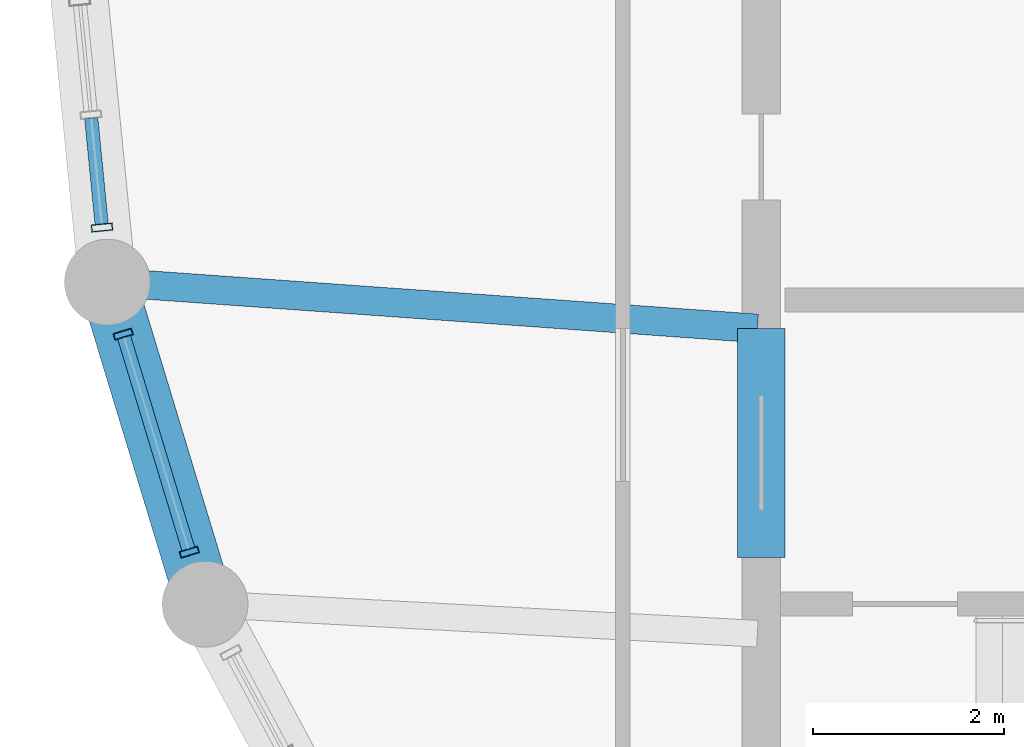
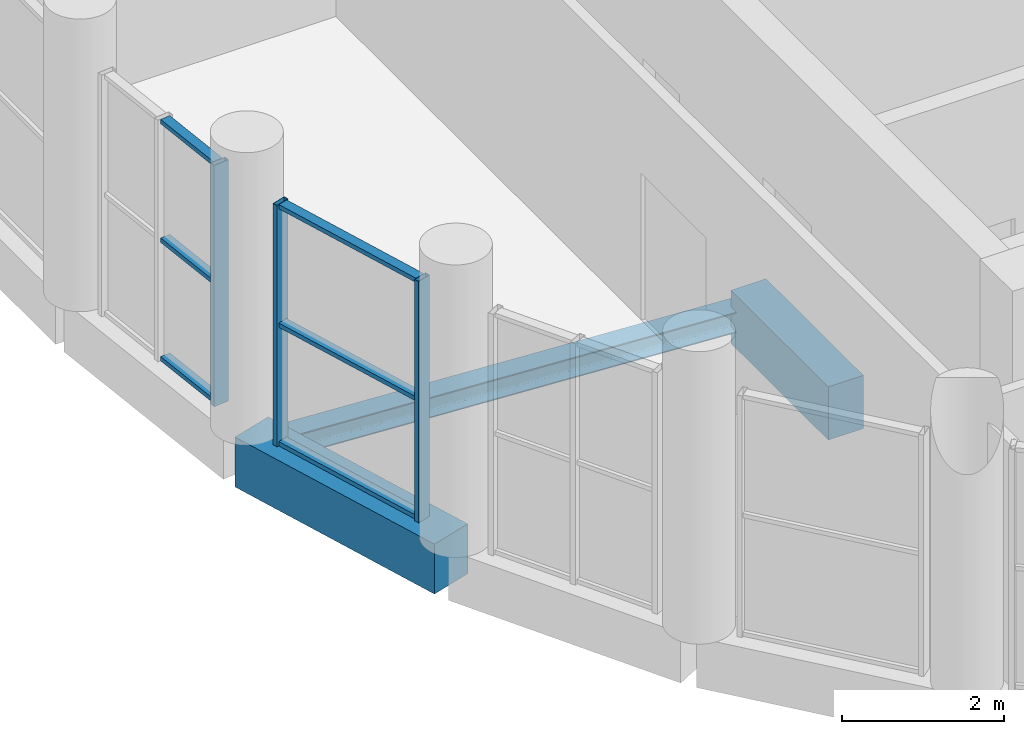
# One storey, part 3 of 18: 9 members, 3 beams, 2 elements without a shape of their own.
"""IFC4 building model written with IfcOpenShell, lengths in metres."""

from ifc_helpers import new_model, si_unit, direction, frame, origin, origin_2d, place, context, subcontext, project, spatial, rectangle, hollow_rectangle, i_section, extrude, material, layer, layer_set, material_profile, profile_set, type_object, element, aggregate, save


model = new_model("IFC4")

# Units and contexts
model_context = context("Model", 3, precision=1e-05, world=origin(), true_north=direction((0.0, 1.0)))
body_context = subcontext(model_context, "Body", "Model", "MODEL_VIEW")
ifc_project = project(units=[si_unit("LENGTHUNIT", "METRE"), si_unit("AREAUNIT", "SQUARE_METRE"), si_unit("VOLUMEUNIT", "CUBIC_METRE"), si_unit("PLANEANGLEUNIT", "RADIAN"), si_unit("MASSUNIT", "GRAM", prefix="KILO")], contexts=[model_context])

# Site, building, storey
site_placement = place(None, origin())
site = spatial("IfcSite", under=ifc_project, at=site_placement, CompositionType="ELEMENT")
building_placement = place(site_placement, origin())
building = spatial("IfcBuilding", under=site, at=building_placement, Name="Solnavia Interchange Tower", CompositionType="ELEMENT")
storey_placement = place(building_placement, frame((0.0, 0.0, 295.39990234375)))
storey = spatial("IfcBuildingStorey", under=building, at=storey_placement, Name="L75", CompositionType="ELEMENT", Elevation=295.39990234375)

# Beams
ifc_material_1 = material(Name="Concrete C50/60", Category="concrete")
ifc_material_profile_1 = material_profile(ifc_material_1, rectangle(XDim=0.5, YDim=0.800048828125, at=origin_2d()), Name="RC 500x800")
ifc_profile_set_1 = profile_set([ifc_material_profile_1], Name="Concrete C50/60")
beam_type_1 = type_object("IfcBeamType", Name="Beam-Coupling-RC500x800", PredefinedType="LINTEL", material=ifc_profile_set_1)
beam_1_placement = place(storey_placement, frame((14.39990234375, 15.199951171875, -0.39990234375), z_axis=(0.0, 1.0, 0.0), x_axis=(-1.0, 0.0, 0.0)))
element("IfcBeam", 1, at=beam_1_placement, inside=storey, type_object=beam_type_1, Name="CPB-L75-W1 Core coupling lintel beam", PredefinedType="LINTEL", context=body_context, shape_type="SweptSolid", body=[
    extrude(rectangle(XDim=0.5, YDim=0.800048828125, at=origin_2d()), origin(), (0.0, 0.0, 1.0), 2.400146484375),
])
ifc_material_2 = material(Name="Steel S355", Category="steel")
ifc_material_profile_2 = material_profile(ifc_material_2, i_section(OverallWidth=0.300048828125, OverallDepth=0.31005859375, WebThickness=0.009033203125, FlangeThickness=0.015380859375, FilletRadius=0.027099609375, at=origin_2d()), Name="HEA 320")
ifc_profile_set_2 = profile_set([ifc_material_profile_2], Name="Steel S355")
beam_type_2 = type_object("IfcBeamType", Name="Beam-Primary-HEA320", PredefinedType="BEAM", material=ifc_profile_set_2)
beam_2_placement = place(storey_placement, frame((7.625732421875, 18.082275390625, -0.40478515625), z_axis=(0.99747482749, -0.071020902015, 0.0), x_axis=(0.071020902015, 0.99747482749, 0.0)))
element("IfcBeam", 2, at=beam_2_placement, inside=storey, type_object=beam_type_2, Name="GRD-L75-DR05 Drum radial floor girder", PredefinedType="BEAM", context=body_context, shape_type="SweptSolid", body=[
    extrude(i_section(OverallWidth=0.300048828125, OverallDepth=0.31005859375, WebThickness=0.009033203125, FlangeThickness=0.015380859375, FilletRadius=0.027099609375, at=origin_2d()), origin(), (0.0, 0.0, 1.0), 6.75146484375),
])
ifc_material_profile_3 = material_profile(ifc_material_1, rectangle(XDim=0.60009765625, YDim=0.75, at=origin_2d()), Name="RC 600x750")
ifc_profile_set_3 = profile_set([ifc_material_profile_3], Name="Concrete C50/60")
beam_type_3 = type_object("IfcBeamType", Name="Beam-Spandrel-RC600x750", PredefinedType="SPANDREL", material=ifc_profile_set_3)
beam_3_placement = place(storey_placement, frame((7.569091796875, 18.011474609375, -0.375), z_axis=(0.290319223646, -0.956929855518, 0.0), x_axis=(0.956929855518, 0.290319223646, 0.0)))
element("IfcBeam", 3, at=beam_3_placement, inside=storey, type_object=beam_type_3, Name="SPB-L75-02 Framed-tube perimeter spandrel beam", PredefinedType="SPANDREL", context=body_context, shape_type="SweptSolid", body=[
    extrude(rectangle(XDim=0.60009765625, YDim=0.75, at=origin_2d()), origin(), (0.0, 0.0, 1.0), 3.367919921875),
])

# Curtain wall, member
ifc_material_3 = material(Name="Aluminium Alloy 6063-T6", Category="aluminium")
ifc_layer_1 = layer(ifc_material_3, 0.239990234375)
ifc_layer_set_1 = layer_set([ifc_layer_1], Name="Aluminium Alloy 6063-T6")
curtain_wall_type_1 = type_object("IfcCurtainWallType", Name="CurtainWall-Drum-CTW2", PredefinedType="NOTDEFINED", material=ifc_layer_set_1)
curtain_wall_1_placement = place(storey_placement, origin())
curtain_wall_1 = element("IfcCurtainWall", 4, at=curtain_wall_1_placement, inside=storey, type_object=curtain_wall_type_1, Name="CTW-L75-D37 CTW-2 curtain wall", PredefinedType="NOTDEFINED")
ifc_material_profile_4 = material_profile(ifc_material_3, hollow_rectangle(XDim=0.074951171875, YDim=0.219970703125, WallThickness=0.0048828125, at=origin_2d()), Name="ALU 220x75x5")
ifc_profile_set_4 = profile_set([ifc_material_profile_4], Name="Aluminium Alloy 6063-T6")
member_type_1 = type_object("IfcMemberType", Name="CW-Mullion-CWM-2", PredefinedType="MULLION", material=ifc_profile_set_4)
member_1_placement = place(storey_placement, frame((7.489501953125, 18.66015625, 0.0), z_axis=(0.0, 0.0, 1.0), x_axis=(0.098043088306, -0.995182170678, 0.0)))
member_1 = element("IfcMember", 5, at=member_1_placement, type_object=member_type_1, Name="CTW-2 mullion 3", PredefinedType="MULLION", context=body_context, shape_type="SweptSolid", body=[
    extrude(hollow_rectangle(XDim=0.074951171875, YDim=0.219970703125, WallThickness=0.0048828125, at=origin_2d()), origin(), (0.0, 0.0, 1.0), 3.630126953125),
])

# Curtain wall, members
ifc_layer_2 = layer(ifc_material_3, 0.219970703125)
ifc_layer_set_2 = layer_set([ifc_layer_2], Name="Aluminium Alloy 6063-T6")
curtain_wall_type_2 = type_object("IfcCurtainWallType", Name="CurtainWall-Tower-CTW3", PredefinedType="NOTDEFINED", material=ifc_layer_set_2)
curtain_wall_2_placement = place(storey_placement, origin())
curtain_wall_2 = element("IfcCurtainWall", 6, at=curtain_wall_2_placement, inside=storey, type_object=curtain_wall_type_2, Name="CTW-L75-S38 CTW-3 curtain wall", PredefinedType="NOTDEFINED")
ifc_material_profile_5 = material_profile(ifc_material_3, hollow_rectangle(XDim=0.070068359375, YDim=0.199951171875, WallThickness=0.0048828125, at=origin_2d()), Name="ALU 200x70x5")
ifc_profile_set_5 = profile_set([ifc_material_profile_5], Name="Aluminium Alloy 6063-T6")
member_type_2 = type_object("IfcMemberType", Name="CW-Mullion-CWM-3", PredefinedType="MULLION", material=ifc_profile_set_5)
member_2_placement = place(storey_placement, frame((7.71142578125, 17.54248046875, 0.0), z_axis=(0.0, 0.0, 1.0), x_axis=(0.290258074897, -0.956948405065, 0.0)))
member_2 = element("IfcMember", 7, at=member_2_placement, type_object=member_type_2, Name="CTW-3 mullion 1", PredefinedType="MULLION", context=body_context, shape_type="SweptSolid", body=[
    extrude(hollow_rectangle(XDim=0.070068359375, YDim=0.199951171875, WallThickness=0.0048828125, at=origin_2d()), origin(), (0.0, 0.0, 1.0), 3.630126953125),
])
member_3_placement = place(storey_placement, frame((8.404541015625, 15.257568359375, 0.0), z_axis=(0.0, 0.0, 1.0), x_axis=(0.290258074897, -0.956948405065, 0.0)))
member_3 = element("IfcMember", 8, at=member_3_placement, type_object=member_type_2, Name="CTW-3 mullion 2", PredefinedType="MULLION", context=body_context, shape_type="SweptSolid", body=[
    extrude(hollow_rectangle(XDim=0.070068359375, YDim=0.199951171875, WallThickness=0.0048828125, at=origin_2d()), origin(), (0.0, 0.0, 1.0), 3.630126953125),
])

# Member
ifc_material_profile_6 = material_profile(ifc_material_3, hollow_rectangle(XDim=0.06494140625, YDim=0.139892578125, WallThickness=0.00390625, at=origin_2d()), Name="ALU 140x65x4")
ifc_profile_set_6 = profile_set([ifc_material_profile_6], Name="Aluminium Alloy 6063-T6")
member_type_3 = type_object("IfcMemberType", Name="CW-Transom-CWT-2", PredefinedType="USERDEFINED", material=ifc_profile_set_6)
member_4_placement = place(storey_placement, frame((7.376708984375, 19.806640625, 0.03271484375), z_axis=(0.097920280653, -0.995194261758, 0.0), x_axis=(0.0, 0.0, 1.0)))
member_4 = element("IfcMember", 9, at=member_4_placement, type_object=member_type_3, Name="CTW-2 transom 2.1", ObjectType="TRANSOM", PredefinedType="USERDEFINED", context=body_context, shape_type="SweptSolid", body=[
    extrude(hollow_rectangle(XDim=0.06494140625, YDim=0.139892578125, WallThickness=0.00390625, at=origin_2d()), origin(), (0.0, 0.0, 1.0), 1.114501953125),
])

member_5_placement = place(storey_placement, frame((7.376708984375, 19.806640625, 1.815185546875), z_axis=(0.097920280653, -0.995194261758, 0.0), x_axis=(0.0, 0.0, 1.0)))
member_5 = element("IfcMember", 10, at=member_5_placement, type_object=member_type_3, Name="CTW-2 transom 2.2", ObjectType="TRANSOM", PredefinedType="USERDEFINED", context=body_context, shape_type="SweptSolid", body=[
    extrude(hollow_rectangle(XDim=0.06494140625, YDim=0.139892578125, WallThickness=0.00390625, at=origin_2d()), origin(), (0.0, 0.0, 1.0), 1.114501953125),
])

member_6_placement = place(storey_placement, frame((7.376708984375, 19.806640625, 3.59765625), z_axis=(0.097920280653, -0.995194261758, 0.0), x_axis=(0.0, 0.0, 1.0)))
member_6 = element("IfcMember", 11, at=member_6_placement, type_object=member_type_3, Name="CTW-2 transom 2.3", ObjectType="TRANSOM", PredefinedType="USERDEFINED", context=body_context, shape_type="SweptSolid", body=[
    extrude(hollow_rectangle(XDim=0.06494140625, YDim=0.139892578125, WallThickness=0.00390625, at=origin_2d()), origin(), (0.0, 0.0, 1.0), 1.114501953125),
])

aggregate(curtain_wall_1, [member_1, member_4, member_5, member_6])

ifc_material_profile_7 = material_profile(ifc_material_3, hollow_rectangle(XDim=0.06494140625, YDim=0.139892578125, WallThickness=0.00390625, at=origin_2d()), Name="ALU 140x65x4")
ifc_profile_set_7 = profile_set([ifc_material_profile_7], Name="Aluminium Alloy 6063-T6")
member_type_4 = type_object("IfcMemberType", Name="CW-Transom-CWT-3", PredefinedType="USERDEFINED", material=ifc_profile_set_7)
member_7_placement = place(storey_placement, frame((7.7216796875, 17.509033203125, 0.03271484375), z_axis=(0.290197417472, -0.956966801354, 0.0), x_axis=(0.0, 0.0, 1.0)))
member_7 = element("IfcMember", 12, at=member_7_placement, type_object=member_type_4, Name="CTW-3 transom 1.1", ObjectType="TRANSOM", PredefinedType="USERDEFINED", context=body_context, shape_type="SweptSolid", body=[
    extrude(hollow_rectangle(XDim=0.06494140625, YDim=0.139892578125, WallThickness=0.00390625, at=origin_2d()), origin(), (0.0, 0.0, 1.0), 2.31787109375),
])

member_8_placement = place(storey_placement, frame((7.7216796875, 17.509033203125, 1.815185546875), z_axis=(0.290197417472, -0.956966801354, 0.0), x_axis=(0.0, 0.0, 1.0)))
member_8 = element("IfcMember", 13, at=member_8_placement, type_object=member_type_4, Name="CTW-3 transom 1.2", ObjectType="TRANSOM", PredefinedType="USERDEFINED", context=body_context, shape_type="SweptSolid", body=[
    extrude(hollow_rectangle(XDim=0.06494140625, YDim=0.139892578125, WallThickness=0.00390625, at=origin_2d()), origin(), (0.0, 0.0, 1.0), 2.31787109375),
])

member_9_placement = place(storey_placement, frame((7.7216796875, 17.509033203125, 3.59765625), z_axis=(0.290197417472, -0.956966801354, 0.0), x_axis=(0.0, 0.0, 1.0)))
member_9 = element("IfcMember", 14, at=member_9_placement, type_object=member_type_4, Name="CTW-3 transom 1.3", ObjectType="TRANSOM", PredefinedType="USERDEFINED", context=body_context, shape_type="SweptSolid", body=[
    extrude(hollow_rectangle(XDim=0.06494140625, YDim=0.139892578125, WallThickness=0.00390625, at=origin_2d()), origin(), (0.0, 0.0, 1.0), 2.31787109375),
])

aggregate(curtain_wall_2, [member_2, member_3, member_7, member_8, member_9])

save(model, "model.ifc")
